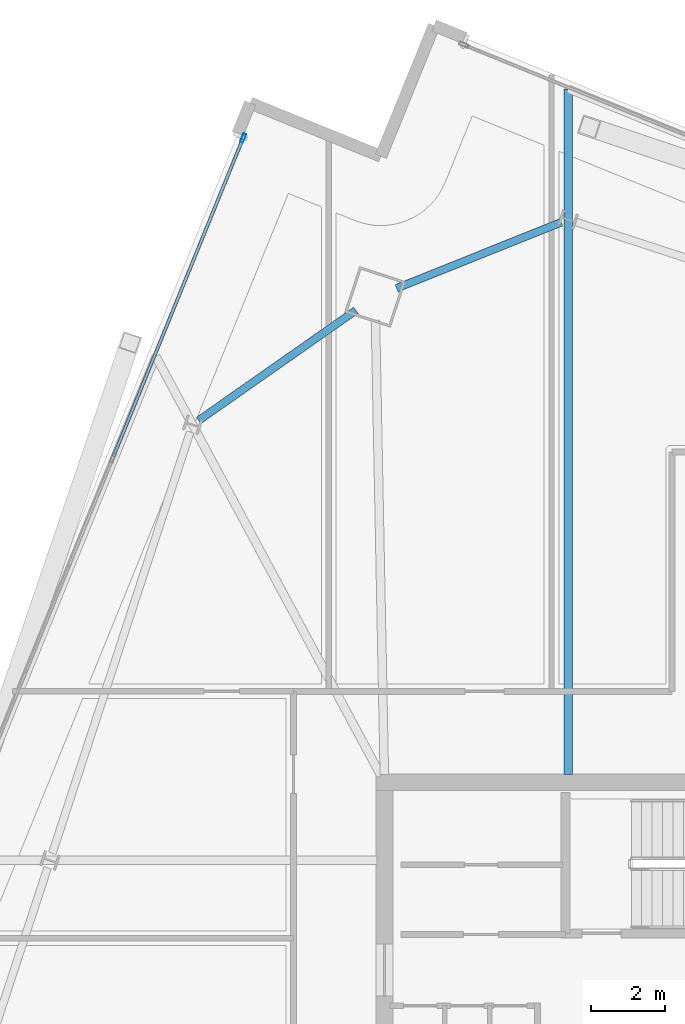
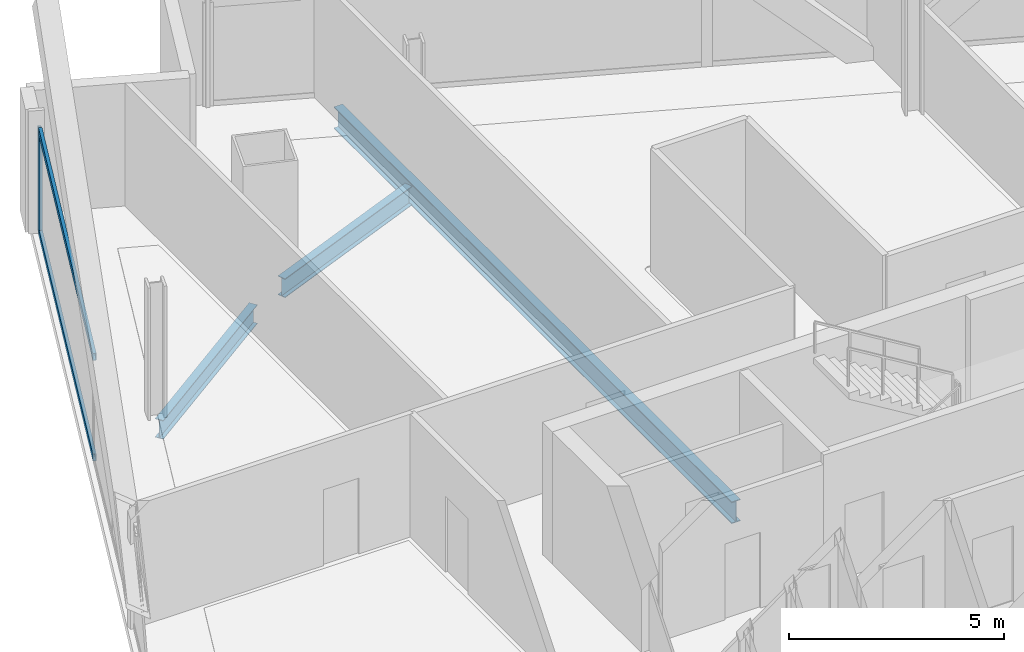
# One storey, part 18 of 31: 3 beams, 3 members, 1 element without a shape of its own.
"""IFC4 building model written with IfcOpenShell, lengths in metres."""

from ifc_helpers import new_model, si_unit, direction, frame, origin, origin_2d, place, context, subcontext, project, spatial, hollow_rectangle, i_section, extrude, material, material_profile, profile_set, type_object, element, aggregate, save


model = new_model("IFC4")

# Units and contexts
model_context = context("Model", 3, precision=1e-05, world=origin(), true_north=direction((0.0, 1.0)))
body_context = subcontext(model_context, "Body", "Model", "MODEL_VIEW")
ifc_project = project(units=[si_unit("LENGTHUNIT", "METRE"), si_unit("AREAUNIT", "SQUARE_METRE"), si_unit("VOLUMEUNIT", "CUBIC_METRE"), si_unit("PLANEANGLEUNIT", "RADIAN"), si_unit("MASSUNIT", "GRAM", prefix="KILO")], contexts=[model_context])

# Site, building, storey
site_placement = place(None, origin())
site = spatial("IfcSite", under=ifc_project, at=site_placement, CompositionType="ELEMENT")
building_placement = place(site_placement, origin())
building = spatial("IfcBuilding", under=site, at=building_placement, Name="Haldenkirk Collegiate Tower", CompositionType="ELEMENT")
storey_placement = place(building_placement, frame((0.0, 0.0, 256.199951171875)))
storey = spatial("IfcBuildingStorey", under=building, at=storey_placement, Name="L64", CompositionType="ELEMENT", Elevation=256.199951171875)

# Beams
ifc_material_1 = material(Name="Steel ASTM A992 Grade 50", Category="steel")
ifc_material_profile_1 = material_profile(ifc_material_1, i_section(OverallWidth=0.22998046875, OverallDepth=0.616943359375, WebThickness=0.01318359375, FlangeThickness=0.022216796875, at=origin_2d()), Name="W24X94")
ifc_profile_set_1 = profile_set([ifc_material_profile_1], Name="Steel ASTM A992 Grade 50")
beam_type_1 = type_object("IfcBeamType", Name="BM-GIRDER-W24X94", PredefinedType="BEAM", material=ifc_profile_set_1)
beam_1_placement = place(storey_placement, frame((31.949462890625, 52.67578125, -0.578369140625), z_axis=(0.0, -1.0, 0.0), x_axis=(1.0, 0.0, 0.0)))
element("IfcBeam", 1, at=beam_1_placement, inside=storey, type_object=beam_type_1, Name="L64 primary floor girder 10", PredefinedType="BEAM", context=body_context, shape_type="SweptSolid", body=[
    extrude(i_section(OverallWidth=0.22998046875, OverallDepth=0.616943359375, WebThickness=0.01318359375, FlangeThickness=0.022216796875, at=origin_2d()), origin(), (0.0, 0.0, 1.0), 18.470703125),
])
ifc_material_profile_2 = material_profile(ifc_material_1, i_section(OverallWidth=0.2099609375, OverallDepth=0.537109375, WebThickness=0.010986328125, FlangeThickness=0.017333984375, at=origin_2d()), Name="W21X68")
ifc_profile_set_2 = profile_set([ifc_material_profile_2], Name="Steel ASTM A992 Grade 50")
beam_type_2 = type_object("IfcBeamType", Name="BM-SPANDREL-W21X68", PredefinedType="SPANDREL", material=ifc_profile_set_2)
beam_2_placement = place(storey_placement, frame((31.761474609375, 49.0830078125, -0.538330078125), z_axis=(-0.928296709602, -0.371840313768, 0.0), x_axis=(0.371840313768, -0.928296709602, 0.0)))
element("IfcBeam", 2, at=beam_2_placement, inside=storey, type_object=beam_type_2, Name="L64 perimeter spandrel beam 08", PredefinedType="SPANDREL", context=body_context, shape_type="SweptSolid", body=[
    extrude(i_section(OverallWidth=0.2099609375, OverallDepth=0.537109375, WebThickness=0.010986328125, FlangeThickness=0.017333984375, at=origin_2d()), origin(), (0.0, 0.0, 1.0), 4.77392578125),
])
beam_3_placement = place(storey_placement, frame((26.22900390625, 46.7119140625, -0.538330078125), z_axis=(-0.818927819185, -0.573896529842, 0.0), x_axis=(0.573896529842, -0.818927819185, 0.0)))
element("IfcBeam", 3, at=beam_3_placement, inside=storey, type_object=beam_type_2, Name="L64 perimeter spandrel beam 09", PredefinedType="SPANDREL", context=body_context, shape_type="SweptSolid", body=[
    extrude(i_section(OverallWidth=0.2099609375, OverallDepth=0.537109375, WebThickness=0.010986328125, FlangeThickness=0.017333984375, at=origin_2d()), origin(), (0.0, 0.0, 1.0), 5.169189453125),
])

# Curtain wall, members
ifc_material_2 = material(Name="Anodised architectural bronze aluminium", Category="aluminium")
curtain_wall_type = type_object("IfcCurtainWallType", Name="CW-SYS1B-CONVEX-HI", PredefinedType="USERDEFINED", material=ifc_material_2)
curtain_wall_placement = place(storey_placement, origin())
curtain_wall = element("IfcCurtainWall", 4, at=curtain_wall_placement, inside=storey, type_object=curtain_wall_type, Name="L64 Upper tower high-wind convex bronze unitised curtain wall", ObjectType="UNITISED CURTAIN WALL", PredefinedType="USERDEFINED")
ifc_material_profile_3 = material_profile(ifc_material_2, hollow_rectangle(XDim=0.0849609375, YDim=0.25, WallThickness=0.0048828125, at=origin_2d()), Name="CW-MUL-1B")
ifc_profile_set_3 = profile_set([ifc_material_profile_3], Name="Anodised architectural bronze aluminium")
member_type_1 = type_object("IfcMemberType", Name="CW-MUL-1B", PredefinedType="MULLION", material=ifc_profile_set_3)
member_1_placement = place(storey_placement, frame((23.1953125, 51.3564453125, 0.0), z_axis=(0.0, 0.0, 1.0), x_axis=(-0.926198931916, 0.377035195329, 0.0)))
member_1 = element("IfcMember", 5, at=member_1_placement, type_object=member_type_1, Name="CW-1B mullion 5", PredefinedType="MULLION", context=body_context, shape_type="SweptSolid", body=[
    extrude(hollow_rectangle(XDim=0.0849609375, YDim=0.25, WallThickness=0.0048828125, at=origin_2d()), origin(), (0.0, 0.0, 1.0), 2.93798828125),
])
ifc_material_profile_4 = material_profile(ifc_material_2, hollow_rectangle(XDim=0.0849609375, YDim=0.199951171875, WallThickness=0.0048828125, at=origin_2d()), Name="CW-TRN-1B")
ifc_profile_set_4 = profile_set([ifc_material_profile_4], Name="Anodised architectural bronze aluminium")
member_type_2 = type_object("IfcMemberType", Name="CW-TRN-1B", PredefinedType="USERDEFINED", material=ifc_profile_set_4)
member_2_placement = place(storey_placement, frame((19.7021484375, 42.775390625, 0.04248046875), z_axis=(0.377025260416, 0.926202976139, 0.0), x_axis=(-0.926202976139, 0.377025260416, 0.0)))
member_2 = element("IfcMember", 6, at=member_2_placement, type_object=member_type_2, Name="CW-1B transom 4.1", ObjectType="TRANSOM", PredefinedType="USERDEFINED", context=body_context, shape_type="SweptSolid", body=[
    extrude(hollow_rectangle(XDim=0.0849609375, YDim=0.199951171875, WallThickness=0.0048828125, at=origin_2d()), origin(), (0.0, 0.0, 1.0), 9.222412109375),
])
member_3_placement = place(storey_placement, frame((19.7021484375, 42.775390625, 2.8955078125), z_axis=(0.377025260416, 0.926202976139, 0.0), x_axis=(-0.926202976139, 0.377025260416, 0.0)))
member_3 = element("IfcMember", 7, at=member_3_placement, type_object=member_type_2, Name="CW-1B transom 4.2", ObjectType="TRANSOM", PredefinedType="USERDEFINED", context=body_context, shape_type="SweptSolid", body=[
    extrude(hollow_rectangle(XDim=0.0849609375, YDim=0.199951171875, WallThickness=0.0048828125, at=origin_2d()), origin(), (0.0, 0.0, 1.0), 9.222412109375),
])
aggregate(curtain_wall, [member_1, member_2, member_3])

save(model, "model.ifc")
